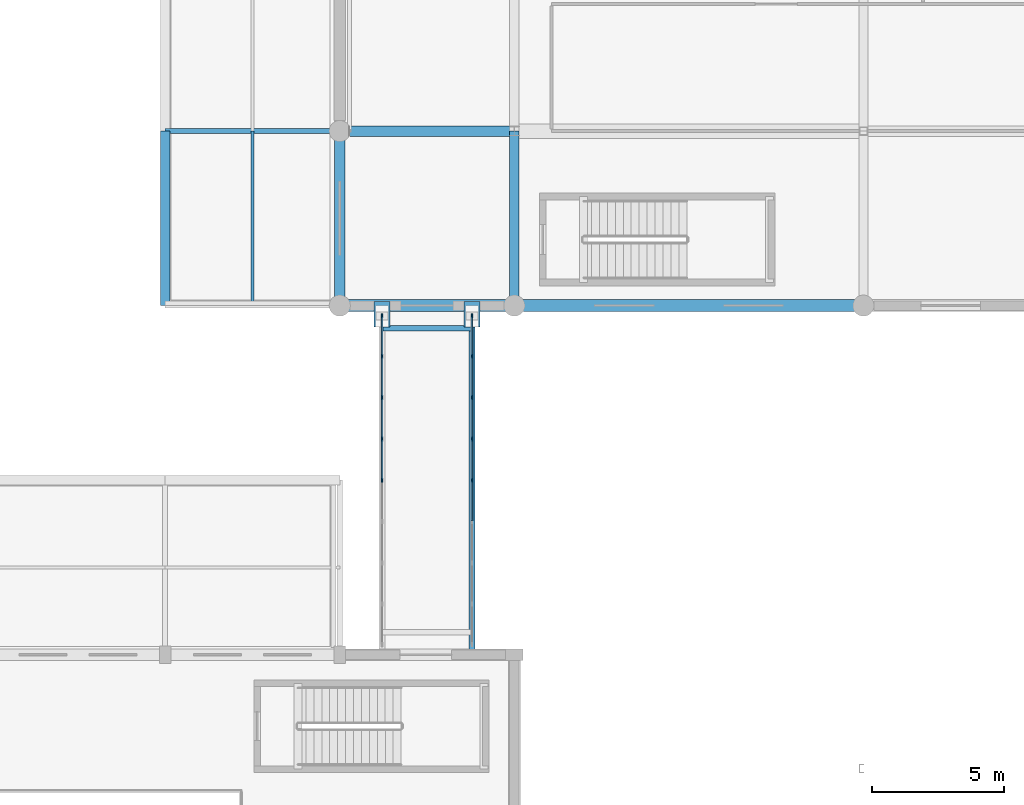
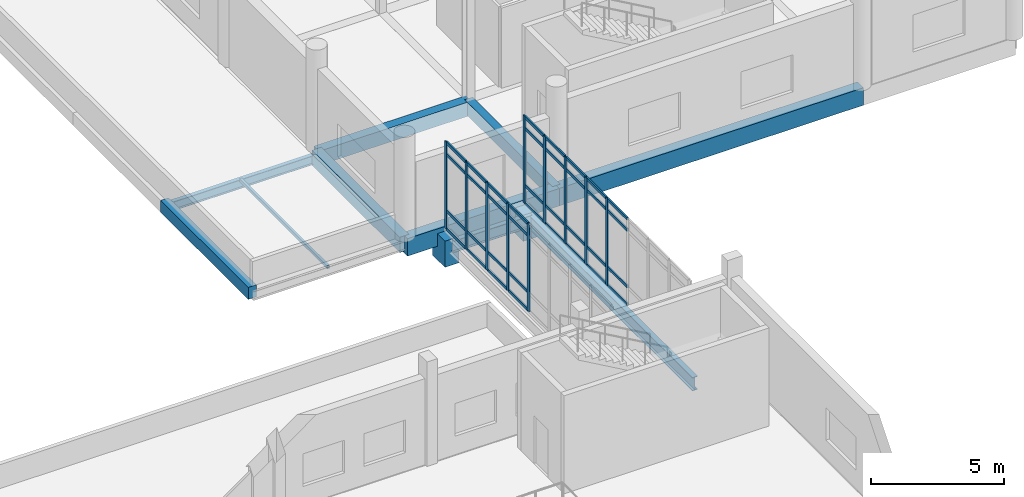
# One storey, part 18 of 125: 47 members, 11 beams, 2 elements without a shape of their own.
"""IFC4 building model written with IfcOpenShell, lengths in metres."""

from ifc_helpers import new_model, si_unit, direction, frame, origin, origin_2d, place, context, subcontext, project, spatial, rectangle, hollow_rectangle, i_section, extrude, material, material_profile, profile_set, type_object, element, aggregate, save


model = new_model("IFC4")

# Units and contexts
model_context = context("Model", 3, precision=1e-05, world=origin(), true_north=direction((0.0, 1.0)))
body_context = subcontext(model_context, "Body", "Model", "MODEL_VIEW")
ifc_project = project(units=[si_unit("LENGTHUNIT", "METRE"), si_unit("AREAUNIT", "SQUARE_METRE"), si_unit("VOLUMEUNIT", "CUBIC_METRE"), si_unit("PLANEANGLEUNIT", "RADIAN"), si_unit("MASSUNIT", "GRAM", prefix="KILO")], contexts=[model_context])

# Site, building, storey
site_placement = place(None, origin())
site = spatial("IfcSite", under=ifc_project, at=site_placement, CompositionType="ELEMENT")
building_placement = place(site_placement, origin())
building = spatial("IfcBuilding", under=site, at=building_placement, Name="Dornvale Research Institute", CompositionType="ELEMENT")
storey_placement = place(building_placement, frame((0.0, 0.0, 5.39990234375)))
storey = spatial("IfcBuildingStorey", under=building, at=storey_placement, Name="L01", CompositionType="ELEMENT", Elevation=5.39990234375)

# Beams
ifc_material_1 = material(Name="Concrete f'c 45 MPa (C35/45)", Category="concrete")
ifc_material_profile_1 = material_profile(ifc_material_1, rectangle(XDim=0.35009765625, YDim=0.60009765625, at=origin_2d()), Name="RC 350x600")
ifc_profile_set_1 = profile_set([ifc_material_profile_1], Name="Concrete f'c 45 MPa (C35/45)")
beam_type_1 = type_object("IfcBeamType", Name="Beam_RC350x600_Floor", PredefinedType="BEAM", material=ifc_profile_set_1)
beam_1_placement = place(storey_placement, frame((46.199951171875, 39.60009765625, -0.2998046875), z_axis=(0.0, 1.0, 0.0), x_axis=(-1.0, 0.0, 0.0)))
element("IfcBeam", 1, at=beam_1_placement, inside=storey, type_object=beam_type_1, Name="L01 transverse girder #531", PredefinedType="BEAM", context=body_context, shape_type="SweptSolid", body=[
    extrude(rectangle(XDim=0.35009765625, YDim=0.60009765625, at=origin_2d()), origin(), (0.0, 0.0, 1.0), 6.599853515625),
])
ifc_material_2 = material(Name="Concrete f'c 45 MPa (C35/45)", Category="concrete")
ifc_material_profile_2 = material_profile(ifc_material_2, rectangle(XDim=0.39990234375, YDim=0.64990234375, at=origin_2d()), Name="RC 400x650")
ifc_profile_set_2 = profile_set([ifc_material_profile_2], Name="Concrete f'c 45 MPa (C35/45)")
beam_type_2 = type_object("IfcBeamType", Name="Beam_RC400x650_Floor", PredefinedType="BEAM", material=ifc_profile_set_2)
beam_2_placement = place(storey_placement, frame((39.60009765625, 46.199951171875, -0.324951171875), z_axis=(1.0, 0.0, 0.0), x_axis=(0.0, 1.0, 0.0)))
element("IfcBeam", 2, at=beam_2_placement, inside=storey, type_object=beam_type_2, Name="L01 primary girder #505", PredefinedType="BEAM", context=body_context, shape_type="SweptSolid", body=[
    extrude(rectangle(XDim=0.39990234375, YDim=0.64990234375, at=origin_2d()), origin(), (0.0, 0.0, 1.0), 6.599853515625),
])
ifc_material_3 = material(Name="Steel ASTM A992 Grade 50", Category="steel")
ifc_material_profile_3 = material_profile(ifc_material_3, i_section(OverallWidth=0.178955078125, OverallDepth=0.409912109375, WebThickness=0.0087890625, FlangeThickness=0.014404296875, at=origin_2d()), Name="W16X45")
ifc_profile_set_3 = profile_set([ifc_material_profile_3], Name="Steel ASTM A992 Grade 50")
beam_type_3 = type_object("IfcBeamType", Name="Beam_Steel_W16X45_Canopy", PredefinedType="BEAM", material=ifc_profile_set_3)
beam_3_placement = place(storey_placement, frame((33.0, 46.199951171875, -0.40478515625), z_axis=(1.0, 0.0, 0.0), x_axis=(0.0, 1.0, 0.0)))
element("IfcBeam", 3, at=beam_3_placement, inside=storey, type_object=beam_type_3, Name="L01 entrance canopy rib #1883", PredefinedType="BEAM", context=body_context, shape_type="SweptSolid", body=[
    extrude(i_section(OverallWidth=0.178955078125, OverallDepth=0.409912109375, WebThickness=0.0087890625, FlangeThickness=0.014404296875, at=origin_2d()), origin(), (0.0, 0.0, 1.0), 6.60009765625),
])
ifc_material_4 = material(Name="Steel ASTM A992 Grade 50", Category="steel")
ifc_material_profile_4 = material_profile(ifc_material_4, i_section(OverallWidth=0.2099609375, OverallDepth=0.535888671875, WebThickness=0.010986328125, FlangeThickness=0.017333984375, at=origin_2d()), Name="W21X68")
ifc_profile_set_4 = profile_set([ifc_material_profile_4], Name="Steel ASTM A992 Grade 50")
beam_type_4 = type_object("IfcBeamType", Name="Beam_Steel_W21X68", PredefinedType="BEAM", material=ifc_profile_set_4)
beam_4_placement = place(storey_placement, frame((41.199951171875, 38.75, -0.48779296875), z_axis=(1.0, 0.0, 0.0), x_axis=(0.0, 1.0, 0.0)))
element("IfcBeam", 4, at=beam_4_placement, inside=storey, type_object=beam_type_4, Name="L01 BR-1 north cross beam #2010", PredefinedType="BEAM", context=body_context, shape_type="SweptSolid", body=[
    extrude(i_section(OverallWidth=0.2099609375, OverallDepth=0.535888671875, WebThickness=0.010986328125, FlangeThickness=0.017333984375, at=origin_2d()), origin(), (0.0, 0.0, 1.0), 3.400146484375),
])
ifc_material_5 = material(Name="Steel ASTM A992 Grade 50", Category="steel")
ifc_material_profile_5 = material_profile(ifc_material_5, i_section(OverallWidth=0.22900390625, OverallDepth=0.612060546875, WebThickness=0.011962890625, FlangeThickness=0.01953125, at=origin_2d()), Name="W24X84")
ifc_profile_set_5 = profile_set([ifc_material_profile_5], Name="Steel ASTM A992 Grade 50")
beam_type_5 = type_object("IfcBeamType", Name="Beam_Steel_W24X84_Bridge", PredefinedType="BEAM", material=ifc_profile_set_5)
beam_5_placement = place(storey_placement, frame((44.60009765625, 26.39990234375, -0.52587890625), z_axis=(0.0, 1.0, 0.0), x_axis=(-1.0, 0.0, 0.0)))
element("IfcBeam", 5, at=beam_5_placement, inside=storey, type_object=beam_type_5, Name="L01 BR-1 east girder #2008", PredefinedType="BEAM", context=body_context, shape_type="SweptSolid", body=[
    extrude(i_section(OverallWidth=0.22900390625, OverallDepth=0.612060546875, WebThickness=0.011962890625, FlangeThickness=0.01953125, at=origin_2d()), origin(), (0.0, 0.0, 1.0), 13.2001953125),
])
ifc_material_6 = material(Name="Concrete f'c 45 MPa (C35/45)", Category="concrete")
ifc_material_profile_6 = material_profile(ifc_material_6, rectangle(XDim=0.35009765625, YDim=0.550048828125, at=origin_2d()), Name="RC 350x550")
ifc_profile_set_6 = profile_set([ifc_material_profile_6], Name="Concrete f'c 45 MPa (C35/45)")
beam_type_6 = type_object("IfcBeamType", Name="Lintel_RC350x550_Arch", PredefinedType="LINTEL", material=ifc_profile_set_6)
beam_6_placement = place(storey_placement, frame((33.0, 39.60009765625, -0.27490234375), z_axis=(0.0, 1.0, 0.0), x_axis=(-1.0, 0.0, 0.0)))
element("IfcBeam", 6, at=beam_6_placement, inside=storey, type_object=beam_type_6, Name="L01 colonnade arch lintel #1867", PredefinedType="LINTEL", context=body_context, shape_type="SweptSolid", body=[
    extrude(rectangle(XDim=0.35009765625, YDim=0.550048828125, at=origin_2d()), origin(), (0.0, 0.0, 1.0), 6.599853515625),
])

# Curtain wall, members
ifc_material_7 = material(Name="Low-E Argon Double Insulating Glazing Unit", Category="glass")
curtain_wall_type = type_object("IfcCurtainWallType", Name="UnitisedCurtainWall_V2_12500x4000", PredefinedType="USERDEFINED", material=ifc_material_7)
curtain_wall_1_placement = place(storey_placement, origin())
curtain_wall_1 = element("IfcCurtainWall", 7, at=curtain_wall_1_placement, inside=storey, type_object=curtain_wall_type, Name="L01 V2 unitised curtain wall CW-39 #203", ObjectType="UNITISED CURTAIN WALL", PredefinedType="USERDEFINED")
ifc_material_8 = material(Name="Anodized Aluminum AA 6063-T6 Thermally Broken Frame", Category="aluminium")
ifc_material_profile_7 = material_profile(ifc_material_8, rectangle(XDim=0.06494140625, YDim=0.1650390625, at=origin_2d()), Name="ALU MULLION 65x165")
ifc_profile_set_7 = profile_set([ifc_material_profile_7], Name="Anodized Aluminum AA 6063-T6 Thermally Broken Frame")
member_type_1 = type_object("IfcMemberType", Name="Mullion_Atrium_65x165", PredefinedType="MULLION", material=ifc_profile_set_7)
member_1_placement = place(storey_placement, frame((41.199951171875, 33.0, 0.0), z_axis=(0.0, 0.0, 1.0), x_axis=(-1.0, 0.0, 0.0)))
member_1 = element("IfcMember", 8, at=member_1_placement, type_object=member_type_1, Name="CW-39 mullion 5", PredefinedType="MULLION", context=body_context, shape_type="SweptSolid", body=[
    extrude(rectangle(XDim=0.06494140625, YDim=0.1650390625, at=origin_2d()), origin(), (0.0, 0.0, 1.0), 4.0),
])
member_2_placement = place(storey_placement, frame((41.199951171875, 34.5625, 0.0), z_axis=(0.0, 0.0, 1.0), x_axis=(-1.0, 0.0, 0.0)))
member_2 = element("IfcMember", 9, at=member_2_placement, type_object=member_type_1, Name="CW-39 mullion 6", PredefinedType="MULLION", context=body_context, shape_type="SweptSolid", body=[
    extrude(rectangle(XDim=0.06494140625, YDim=0.1650390625, at=origin_2d()), origin(), (0.0, 0.0, 1.0), 4.0),
])
member_3_placement = place(storey_placement, frame((41.199951171875, 36.125, 0.0), z_axis=(0.0, 0.0, 1.0), x_axis=(-1.0, 0.0, 0.0)))
member_3 = element("IfcMember", 10, at=member_3_placement, type_object=member_type_1, Name="CW-39 mullion 7", PredefinedType="MULLION", context=body_context, shape_type="SweptSolid", body=[
    extrude(rectangle(XDim=0.06494140625, YDim=0.1650390625, at=origin_2d()), origin(), (0.0, 0.0, 1.0), 4.0),
])
member_4_placement = place(storey_placement, frame((41.199951171875, 37.6875, 0.0), z_axis=(0.0, 0.0, 1.0), x_axis=(-1.0, 0.0, 0.0)))
member_4 = element("IfcMember", 11, at=member_4_placement, type_object=member_type_1, Name="CW-39 mullion 8", PredefinedType="MULLION", context=body_context, shape_type="SweptSolid", body=[
    extrude(rectangle(XDim=0.06494140625, YDim=0.1650390625, at=origin_2d()), origin(), (0.0, 0.0, 1.0), 4.0),
])
member_5_placement = place(storey_placement, frame((41.199951171875, 39.217529296875, 0.0), z_axis=(0.0, 0.0, 1.0), x_axis=(-1.0, 0.0, 0.0)))
member_5 = element("IfcMember", 12, at=member_5_placement, type_object=member_type_1, Name="CW-39 mullion 9", PredefinedType="MULLION", context=body_context, shape_type="SweptSolid", body=[
    extrude(rectangle(XDim=0.06494140625, YDim=0.1650390625, at=origin_2d()), origin(), (0.0, 0.0, 1.0), 4.0),
])

curtain_wall_2_placement = place(storey_placement, origin())
curtain_wall_2 = element("IfcCurtainWall", 13, at=curtain_wall_2_placement, inside=storey, type_object=curtain_wall_type, Name="L01 V2 unitised curtain wall CW-39 #204", ObjectType="UNITISED CURTAIN WALL", PredefinedType="USERDEFINED")
member_6_placement = place(storey_placement, frame((44.60009765625, 39.217529296875, 0.0), z_axis=(0.0, 0.0, 1.0), x_axis=(1.0, 0.0, 0.0)))
member_6 = element("IfcMember", 14, at=member_6_placement, type_object=member_type_1, Name="CW-39 mullion 1", PredefinedType="MULLION", context=body_context, shape_type="SweptSolid", body=[
    extrude(rectangle(XDim=0.06494140625, YDim=0.1650390625, at=origin_2d()), origin(), (0.0, 0.0, 1.0), 4.0),
])
member_7_placement = place(storey_placement, frame((44.60009765625, 37.6875, 0.0), z_axis=(0.0, 0.0, 1.0), x_axis=(1.0, 0.0, 0.0)))
member_7 = element("IfcMember", 15, at=member_7_placement, type_object=member_type_1, Name="CW-39 mullion 2", PredefinedType="MULLION", context=body_context, shape_type="SweptSolid", body=[
    extrude(rectangle(XDim=0.06494140625, YDim=0.1650390625, at=origin_2d()), origin(), (0.0, 0.0, 1.0), 4.0),
])
member_8_placement = place(storey_placement, frame((44.60009765625, 36.125, 0.0), z_axis=(0.0, 0.0, 1.0), x_axis=(1.0, 0.0, 0.0)))
member_8 = element("IfcMember", 16, at=member_8_placement, type_object=member_type_1, Name="CW-39 mullion 3", PredefinedType="MULLION", context=body_context, shape_type="SweptSolid", body=[
    extrude(rectangle(XDim=0.06494140625, YDim=0.1650390625, at=origin_2d()), origin(), (0.0, 0.0, 1.0), 4.0),
])
member_9_placement = place(storey_placement, frame((44.60009765625, 34.5625, 0.0), z_axis=(0.0, 0.0, 1.0), x_axis=(1.0, 0.0, 0.0)))
member_9 = element("IfcMember", 17, at=member_9_placement, type_object=member_type_1, Name="CW-39 mullion 4", PredefinedType="MULLION", context=body_context, shape_type="SweptSolid", body=[
    extrude(rectangle(XDim=0.06494140625, YDim=0.1650390625, at=origin_2d()), origin(), (0.0, 0.0, 1.0), 4.0),
])
member_10_placement = place(storey_placement, frame((44.60009765625, 33.0, 0.0), z_axis=(0.0, 0.0, 1.0), x_axis=(1.0, 0.0, 0.0)))
member_10 = element("IfcMember", 18, at=member_10_placement, type_object=member_type_1, Name="CW-39 mullion 5", PredefinedType="MULLION", context=body_context, shape_type="SweptSolid", body=[
    extrude(rectangle(XDim=0.06494140625, YDim=0.1650390625, at=origin_2d()), origin(), (0.0, 0.0, 1.0), 4.0),
])

# Member
ifc_material_9 = material(Name="Steel ASTM A500 Grade C", Category="steel")
ifc_material_profile_8 = material_profile(ifc_material_9, hollow_rectangle(XDim=0.10205078125, YDim=0.152099609375, WallThickness=0.005859375, at=origin_2d()), Name="HSS152X102X6.4")
ifc_profile_set_8 = profile_set([ifc_material_profile_8], Name="Steel ASTM A500 Grade C")
member_type_2 = type_object("IfcMemberType", Name="Purlin_HSS152X102_Canopy", PredefinedType="PURLIN", material=ifc_profile_set_8)
member_11_placement = place(storey_placement, frame((36.300048828125, 39.60009765625, -0.27587890625), z_axis=(0.0, 1.0, 0.0), x_axis=(-1.0, 0.0, 0.0)))
element("IfcMember", 19, at=member_11_placement, inside=storey, type_object=member_type_2, Name="Entrance canopy purlin #13", PredefinedType="PURLIN", context=body_context, shape_type="SweptSolid", body=[
    extrude(hollow_rectangle(XDim=0.10205078125, YDim=0.152099609375, WallThickness=0.005859375, at=origin_2d()), origin(), (0.0, 0.0, 1.0), 6.599853515625),
])

# Beams
ifc_material_10 = material(Name="Concrete f'c 45 MPa (C35/45)", Category="concrete")
ifc_material_profile_9 = material_profile(ifc_material_10, rectangle(XDim=0.39990234375, YDim=0.699951171875, at=origin_2d()), Name="RC 400x700")
ifc_profile_set_9 = profile_set([ifc_material_profile_9], Name="Concrete f'c 45 MPa (C35/45)")
beam_type_7 = type_object("IfcBeamType", Name="Spandrel_RC400x700_Ext", PredefinedType="SPANDREL", material=ifc_profile_set_9)
beam_7_placement = place(storey_placement, frame((39.60009765625, 39.60009765625, -0.349853515625), z_axis=(0.0, 1.0, 0.0), x_axis=(-1.0, 0.0, 0.0)))
element("IfcBeam", 20, at=beam_7_placement, inside=storey, type_object=beam_type_7, Name="L01 perimeter spandrel #524", PredefinedType="SPANDREL", context=body_context, shape_type="SweptSolid", body=[
    extrude(rectangle(XDim=0.39990234375, YDim=0.699951171875, at=origin_2d()), origin(), (0.0, 0.0, 1.0), 6.599853515625),
])
ifc_material_11 = material(Name="Concrete f'c 45 MPa (C35/45)", Category="concrete")
ifc_material_profile_10 = material_profile(ifc_material_11, rectangle(XDim=0.449951171875, YDim=0.800048828125, at=origin_2d()), Name="RC 450x800")
ifc_profile_set_10 = profile_set([ifc_material_profile_10], Name="Concrete f'c 45 MPa (C35/45)")
beam_type_8 = type_object("IfcBeamType", Name="Spandrel_RC450x800_Ext", PredefinedType="SPANDREL", material=ifc_profile_set_10)
beam_8_placement = place(storey_placement, frame((39.60009765625, 39.60009765625, -0.39990234375), z_axis=(1.0, 0.0, 0.0), x_axis=(0.0, 1.0, 0.0)))
element("IfcBeam", 21, at=beam_8_placement, inside=storey, type_object=beam_type_8, Name="L01 perimeter spandrel #502", PredefinedType="SPANDREL", context=body_context, shape_type="SweptSolid", body=[
    extrude(rectangle(XDim=0.449951171875, YDim=0.800048828125, at=origin_2d()), origin(), (0.0, 0.0, 1.0), 6.599853515625),
])
beam_9_placement = place(storey_placement, frame((46.199951171875, 39.60009765625, -0.39990234375), z_axis=(1.0, 0.0, 0.0), x_axis=(0.0, 1.0, 0.0)))
element("IfcBeam", 22, at=beam_9_placement, inside=storey, type_object=beam_type_8, Name="L01 perimeter spandrel #503", PredefinedType="SPANDREL", context=body_context, shape_type="SweptSolid", body=[
    extrude(rectangle(XDim=0.449951171875, YDim=0.800048828125, at=origin_2d()), origin(), (0.0, 0.0, 1.0), 13.199951171875),
])
ifc_material_12 = material(Name="Concrete f'c 50 MPa (C40/50)", Category="concrete")
ifc_material_profile_11 = material_profile(ifc_material_12, rectangle(XDim=0.60009765625, YDim=1.199951171875, at=origin_2d()), Name="RC 600x1200")
ifc_profile_set_11 = profile_set([ifc_material_profile_11], Name="Concrete f'c 50 MPa (C40/50)")
beam_type_9 = type_object("IfcBeamType", Name="TBeam_RC600x1200_Tie", PredefinedType="T_BEAM", material=ifc_profile_set_11)
for number, where, z_axis, x_axis, name in (
    (23, (41.199951171875, 38.800048828125, -0.81982421875), (0.0, 1.0, 0.0), (-1.0, 0.0, 0.0), "L01 BR-1 800mm sliding corbel seat #2010"),
    (24, (44.60009765625, 38.800048828125, -0.81982421875), (0.0, 1.0, 0.0), (-1.0, 0.0, 0.0), "L01 BR-1 800mm sliding corbel seat #2010"),
):
    element("IfcBeam", number, at=place(storey_placement, frame(where, z_axis=z_axis, x_axis=x_axis)), inside=storey, type_object=beam_type_9, Name=name, PredefinedType="T_BEAM", context=body_context, shape_type="SweptSolid", body=[
        extrude(rectangle(XDim=0.60009765625, YDim=1.199951171875, at=origin_2d()), origin(), (0.0, 0.0, 1.0), 0.949951171875),
    ])

# Member
ifc_material_13 = material(Name="Anodized Aluminum AA 6063-T6 Thermally Broken Frame", Category="aluminium")
ifc_material_profile_12 = material_profile(ifc_material_13, rectangle(XDim=0.06494140625, YDim=0.135009765625, at=origin_2d()), Name="ALU TRANSOM 65x135")
ifc_profile_set_12 = profile_set([ifc_material_profile_12], Name="Anodized Aluminum AA 6063-T6 Thermally Broken Frame")
member_type_3 = type_object("IfcMemberType", Name="Transom_CW_65x135", PredefinedType="USERDEFINED", material=ifc_profile_set_12)
member_12_placement = place(storey_placement, frame((41.199951171875, 33.032470703125, 0.03271484375), z_axis=(0.0, 1.0, 0.0), x_axis=(-1.0, 0.0, 0.0)))
member_12 = element("IfcMember", 25, at=member_12_placement, type_object=member_type_3, Name="CW-39 transom 5.1", ObjectType="TRANSOM", PredefinedType="USERDEFINED", context=body_context, shape_type="SweptSolid", body=[
    extrude(rectangle(XDim=0.06494140625, YDim=0.135009765625, at=origin_2d()), origin(), (0.0, 0.0, 1.0), 1.49755859375),
])

member_13_placement = place(storey_placement, frame((41.199951171875, 33.032470703125, 0.85009765625), z_axis=(0.0, 1.0, 0.0), x_axis=(-1.0, 0.0, 0.0)))
member_13 = element("IfcMember", 26, at=member_13_placement, type_object=member_type_3, Name="CW-39 transom 5.2", ObjectType="TRANSOM", PredefinedType="USERDEFINED", context=body_context, shape_type="SweptSolid", body=[
    extrude(rectangle(XDim=0.06494140625, YDim=0.135009765625, at=origin_2d()), origin(), (0.0, 0.0, 1.0), 1.49755859375),
])

member_14_placement = place(storey_placement, frame((41.199951171875, 33.032470703125, 3.4501953125), z_axis=(0.0, 1.0, 0.0), x_axis=(-1.0, 0.0, 0.0)))
member_14 = element("IfcMember", 27, at=member_14_placement, type_object=member_type_3, Name="CW-39 transom 5.3", ObjectType="TRANSOM", PredefinedType="USERDEFINED", context=body_context, shape_type="SweptSolid", body=[
    extrude(rectangle(XDim=0.06494140625, YDim=0.135009765625, at=origin_2d()), origin(), (0.0, 0.0, 1.0), 1.49755859375),
])

member_15_placement = place(storey_placement, frame((41.199951171875, 33.032470703125, 3.967529296875), z_axis=(0.0, 1.0, 0.0), x_axis=(-1.0, 0.0, 0.0)))
member_15 = element("IfcMember", 28, at=member_15_placement, type_object=member_type_3, Name="CW-39 transom 5.4", ObjectType="TRANSOM", PredefinedType="USERDEFINED", context=body_context, shape_type="SweptSolid", body=[
    extrude(rectangle(XDim=0.06494140625, YDim=0.135009765625, at=origin_2d()), origin(), (0.0, 0.0, 1.0), 1.49755859375),
])

member_16_placement = place(storey_placement, frame((41.199951171875, 34.594970703125, 0.03271484375), z_axis=(0.0, 1.0, 0.0), x_axis=(-1.0, 0.0, 0.0)))
member_16 = element("IfcMember", 29, at=member_16_placement, type_object=member_type_3, Name="CW-39 transom 6.1", ObjectType="TRANSOM", PredefinedType="USERDEFINED", context=body_context, shape_type="SweptSolid", body=[
    extrude(rectangle(XDim=0.06494140625, YDim=0.135009765625, at=origin_2d()), origin(), (0.0, 0.0, 1.0), 1.49755859375),
])

member_17_placement = place(storey_placement, frame((41.199951171875, 34.594970703125, 0.85009765625), z_axis=(0.0, 1.0, 0.0), x_axis=(-1.0, 0.0, 0.0)))
member_17 = element("IfcMember", 30, at=member_17_placement, type_object=member_type_3, Name="CW-39 transom 6.2", ObjectType="TRANSOM", PredefinedType="USERDEFINED", context=body_context, shape_type="SweptSolid", body=[
    extrude(rectangle(XDim=0.06494140625, YDim=0.135009765625, at=origin_2d()), origin(), (0.0, 0.0, 1.0), 1.49755859375),
])

member_18_placement = place(storey_placement, frame((41.199951171875, 34.594970703125, 3.4501953125), z_axis=(0.0, 1.0, 0.0), x_axis=(-1.0, 0.0, 0.0)))
member_18 = element("IfcMember", 31, at=member_18_placement, type_object=member_type_3, Name="CW-39 transom 6.3", ObjectType="TRANSOM", PredefinedType="USERDEFINED", context=body_context, shape_type="SweptSolid", body=[
    extrude(rectangle(XDim=0.06494140625, YDim=0.135009765625, at=origin_2d()), origin(), (0.0, 0.0, 1.0), 1.49755859375),
])

member_19_placement = place(storey_placement, frame((41.199951171875, 34.594970703125, 3.967529296875), z_axis=(0.0, 1.0, 0.0), x_axis=(-1.0, 0.0, 0.0)))
member_19 = element("IfcMember", 32, at=member_19_placement, type_object=member_type_3, Name="CW-39 transom 6.4", ObjectType="TRANSOM", PredefinedType="USERDEFINED", context=body_context, shape_type="SweptSolid", body=[
    extrude(rectangle(XDim=0.06494140625, YDim=0.135009765625, at=origin_2d()), origin(), (0.0, 0.0, 1.0), 1.49755859375),
])

member_20_placement = place(storey_placement, frame((41.199951171875, 36.157470703125, 0.03271484375), z_axis=(0.0, 1.0, 0.0), x_axis=(-1.0, 0.0, 0.0)))
member_20 = element("IfcMember", 33, at=member_20_placement, type_object=member_type_3, Name="CW-39 transom 7.1", ObjectType="TRANSOM", PredefinedType="USERDEFINED", context=body_context, shape_type="SweptSolid", body=[
    extrude(rectangle(XDim=0.06494140625, YDim=0.135009765625, at=origin_2d()), origin(), (0.0, 0.0, 1.0), 1.49755859375),
])

member_21_placement = place(storey_placement, frame((41.199951171875, 36.157470703125, 0.85009765625), z_axis=(0.0, 1.0, 0.0), x_axis=(-1.0, 0.0, 0.0)))
member_21 = element("IfcMember", 34, at=member_21_placement, type_object=member_type_3, Name="CW-39 transom 7.2", ObjectType="TRANSOM", PredefinedType="USERDEFINED", context=body_context, shape_type="SweptSolid", body=[
    extrude(rectangle(XDim=0.06494140625, YDim=0.135009765625, at=origin_2d()), origin(), (0.0, 0.0, 1.0), 1.49755859375),
])

member_22_placement = place(storey_placement, frame((41.199951171875, 36.157470703125, 3.4501953125), z_axis=(0.0, 1.0, 0.0), x_axis=(-1.0, 0.0, 0.0)))
member_22 = element("IfcMember", 35, at=member_22_placement, type_object=member_type_3, Name="CW-39 transom 7.3", ObjectType="TRANSOM", PredefinedType="USERDEFINED", context=body_context, shape_type="SweptSolid", body=[
    extrude(rectangle(XDim=0.06494140625, YDim=0.135009765625, at=origin_2d()), origin(), (0.0, 0.0, 1.0), 1.49755859375),
])

member_23_placement = place(storey_placement, frame((41.199951171875, 36.157470703125, 3.967529296875), z_axis=(0.0, 1.0, 0.0), x_axis=(-1.0, 0.0, 0.0)))
member_23 = element("IfcMember", 36, at=member_23_placement, type_object=member_type_3, Name="CW-39 transom 7.4", ObjectType="TRANSOM", PredefinedType="USERDEFINED", context=body_context, shape_type="SweptSolid", body=[
    extrude(rectangle(XDim=0.06494140625, YDim=0.135009765625, at=origin_2d()), origin(), (0.0, 0.0, 1.0), 1.49755859375),
])

member_24_placement = place(storey_placement, frame((41.199951171875, 37.719970703125, 0.03271484375), z_axis=(0.0, 1.0, 0.0), x_axis=(-1.0, 0.0, 0.0)))
member_24 = element("IfcMember", 37, at=member_24_placement, type_object=member_type_3, Name="CW-39 transom 8.1", ObjectType="TRANSOM", PredefinedType="USERDEFINED", context=body_context, shape_type="SweptSolid", body=[
    extrude(rectangle(XDim=0.06494140625, YDim=0.135009765625, at=origin_2d()), origin(), (0.0, 0.0, 1.0), 1.465087890625),
])

member_25_placement = place(storey_placement, frame((41.199951171875, 37.719970703125, 0.85009765625), z_axis=(0.0, 1.0, 0.0), x_axis=(-1.0, 0.0, 0.0)))
member_25 = element("IfcMember", 38, at=member_25_placement, type_object=member_type_3, Name="CW-39 transom 8.2", ObjectType="TRANSOM", PredefinedType="USERDEFINED", context=body_context, shape_type="SweptSolid", body=[
    extrude(rectangle(XDim=0.06494140625, YDim=0.135009765625, at=origin_2d()), origin(), (0.0, 0.0, 1.0), 1.465087890625),
])

member_26_placement = place(storey_placement, frame((41.199951171875, 37.719970703125, 3.4501953125), z_axis=(0.0, 1.0, 0.0), x_axis=(-1.0, 0.0, 0.0)))
member_26 = element("IfcMember", 39, at=member_26_placement, type_object=member_type_3, Name="CW-39 transom 8.3", ObjectType="TRANSOM", PredefinedType="USERDEFINED", context=body_context, shape_type="SweptSolid", body=[
    extrude(rectangle(XDim=0.06494140625, YDim=0.135009765625, at=origin_2d()), origin(), (0.0, 0.0, 1.0), 1.465087890625),
])

member_27_placement = place(storey_placement, frame((41.199951171875, 37.719970703125, 3.967529296875), z_axis=(0.0, 1.0, 0.0), x_axis=(-1.0, 0.0, 0.0)))
member_27 = element("IfcMember", 40, at=member_27_placement, type_object=member_type_3, Name="CW-39 transom 8.4", ObjectType="TRANSOM", PredefinedType="USERDEFINED", context=body_context, shape_type="SweptSolid", body=[
    extrude(rectangle(XDim=0.06494140625, YDim=0.135009765625, at=origin_2d()), origin(), (0.0, 0.0, 1.0), 1.465087890625),
])

aggregate(curtain_wall_1, [member_1, member_2, member_3, member_4, member_5, member_12, member_13, member_14, member_15, member_16, member_17, member_18, member_19, member_20, member_21, member_22, member_23, member_24, member_25, member_26, member_27])

member_28_placement = place(storey_placement, frame((44.60009765625, 39.18505859375, 0.03271484375), z_axis=(0.0, -1.0, 0.0), x_axis=(1.0, 0.0, 0.0)))
member_28 = element("IfcMember", 41, at=member_28_placement, type_object=member_type_3, Name="CW-39 transom 1.1", ObjectType="TRANSOM", PredefinedType="USERDEFINED", context=body_context, shape_type="SweptSolid", body=[
    extrude(rectangle(XDim=0.06494140625, YDim=0.135009765625, at=origin_2d()), origin(), (0.0, 0.0, 1.0), 1.465087890625),
])

member_29_placement = place(storey_placement, frame((44.60009765625, 39.18505859375, 0.85009765625), z_axis=(0.0, -1.0, 0.0), x_axis=(1.0, 0.0, 0.0)))
member_29 = element("IfcMember", 42, at=member_29_placement, type_object=member_type_3, Name="CW-39 transom 1.2", ObjectType="TRANSOM", PredefinedType="USERDEFINED", context=body_context, shape_type="SweptSolid", body=[
    extrude(rectangle(XDim=0.06494140625, YDim=0.135009765625, at=origin_2d()), origin(), (0.0, 0.0, 1.0), 1.465087890625),
])

member_30_placement = place(storey_placement, frame((44.60009765625, 39.18505859375, 3.4501953125), z_axis=(0.0, -1.0, 0.0), x_axis=(1.0, 0.0, 0.0)))
member_30 = element("IfcMember", 43, at=member_30_placement, type_object=member_type_3, Name="CW-39 transom 1.3", ObjectType="TRANSOM", PredefinedType="USERDEFINED", context=body_context, shape_type="SweptSolid", body=[
    extrude(rectangle(XDim=0.06494140625, YDim=0.135009765625, at=origin_2d()), origin(), (0.0, 0.0, 1.0), 1.465087890625),
])

member_31_placement = place(storey_placement, frame((44.60009765625, 39.18505859375, 3.967529296875), z_axis=(0.0, -1.0, 0.0), x_axis=(1.0, 0.0, 0.0)))
member_31 = element("IfcMember", 44, at=member_31_placement, type_object=member_type_3, Name="CW-39 transom 1.4", ObjectType="TRANSOM", PredefinedType="USERDEFINED", context=body_context, shape_type="SweptSolid", body=[
    extrude(rectangle(XDim=0.06494140625, YDim=0.135009765625, at=origin_2d()), origin(), (0.0, 0.0, 1.0), 1.465087890625),
])

member_32_placement = place(storey_placement, frame((44.60009765625, 37.655029296875, 0.03271484375), z_axis=(0.0, -1.0, 0.0), x_axis=(1.0, 0.0, 0.0)))
member_32 = element("IfcMember", 45, at=member_32_placement, type_object=member_type_3, Name="CW-39 transom 2.1", ObjectType="TRANSOM", PredefinedType="USERDEFINED", context=body_context, shape_type="SweptSolid", body=[
    extrude(rectangle(XDim=0.06494140625, YDim=0.135009765625, at=origin_2d()), origin(), (0.0, 0.0, 1.0), 1.49755859375),
])

member_33_placement = place(storey_placement, frame((44.60009765625, 37.655029296875, 0.85009765625), z_axis=(0.0, -1.0, 0.0), x_axis=(1.0, 0.0, 0.0)))
member_33 = element("IfcMember", 46, at=member_33_placement, type_object=member_type_3, Name="CW-39 transom 2.2", ObjectType="TRANSOM", PredefinedType="USERDEFINED", context=body_context, shape_type="SweptSolid", body=[
    extrude(rectangle(XDim=0.06494140625, YDim=0.135009765625, at=origin_2d()), origin(), (0.0, 0.0, 1.0), 1.49755859375),
])

member_34_placement = place(storey_placement, frame((44.60009765625, 37.655029296875, 3.4501953125), z_axis=(0.0, -1.0, 0.0), x_axis=(1.0, 0.0, 0.0)))
member_34 = element("IfcMember", 47, at=member_34_placement, type_object=member_type_3, Name="CW-39 transom 2.3", ObjectType="TRANSOM", PredefinedType="USERDEFINED", context=body_context, shape_type="SweptSolid", body=[
    extrude(rectangle(XDim=0.06494140625, YDim=0.135009765625, at=origin_2d()), origin(), (0.0, 0.0, 1.0), 1.49755859375),
])

member_35_placement = place(storey_placement, frame((44.60009765625, 37.655029296875, 3.967529296875), z_axis=(0.0, -1.0, 0.0), x_axis=(1.0, 0.0, 0.0)))
member_35 = element("IfcMember", 48, at=member_35_placement, type_object=member_type_3, Name="CW-39 transom 2.4", ObjectType="TRANSOM", PredefinedType="USERDEFINED", context=body_context, shape_type="SweptSolid", body=[
    extrude(rectangle(XDim=0.06494140625, YDim=0.135009765625, at=origin_2d()), origin(), (0.0, 0.0, 1.0), 1.49755859375),
])

member_36_placement = place(storey_placement, frame((44.60009765625, 36.092529296875, 0.03271484375), z_axis=(0.0, -1.0, 0.0), x_axis=(1.0, 0.0, 0.0)))
member_36 = element("IfcMember", 49, at=member_36_placement, type_object=member_type_3, Name="CW-39 transom 3.1", ObjectType="TRANSOM", PredefinedType="USERDEFINED", context=body_context, shape_type="SweptSolid", body=[
    extrude(rectangle(XDim=0.06494140625, YDim=0.135009765625, at=origin_2d()), origin(), (0.0, 0.0, 1.0), 1.49755859375),
])

member_37_placement = place(storey_placement, frame((44.60009765625, 36.092529296875, 0.85009765625), z_axis=(0.0, -1.0, 0.0), x_axis=(1.0, 0.0, 0.0)))
member_37 = element("IfcMember", 50, at=member_37_placement, type_object=member_type_3, Name="CW-39 transom 3.2", ObjectType="TRANSOM", PredefinedType="USERDEFINED", context=body_context, shape_type="SweptSolid", body=[
    extrude(rectangle(XDim=0.06494140625, YDim=0.135009765625, at=origin_2d()), origin(), (0.0, 0.0, 1.0), 1.49755859375),
])

member_38_placement = place(storey_placement, frame((44.60009765625, 36.092529296875, 3.4501953125), z_axis=(0.0, -1.0, 0.0), x_axis=(1.0, 0.0, 0.0)))
member_38 = element("IfcMember", 51, at=member_38_placement, type_object=member_type_3, Name="CW-39 transom 3.3", ObjectType="TRANSOM", PredefinedType="USERDEFINED", context=body_context, shape_type="SweptSolid", body=[
    extrude(rectangle(XDim=0.06494140625, YDim=0.135009765625, at=origin_2d()), origin(), (0.0, 0.0, 1.0), 1.49755859375),
])

member_39_placement = place(storey_placement, frame((44.60009765625, 36.092529296875, 3.967529296875), z_axis=(0.0, -1.0, 0.0), x_axis=(1.0, 0.0, 0.0)))
member_39 = element("IfcMember", 52, at=member_39_placement, type_object=member_type_3, Name="CW-39 transom 3.4", ObjectType="TRANSOM", PredefinedType="USERDEFINED", context=body_context, shape_type="SweptSolid", body=[
    extrude(rectangle(XDim=0.06494140625, YDim=0.135009765625, at=origin_2d()), origin(), (0.0, 0.0, 1.0), 1.49755859375),
])

member_40_placement = place(storey_placement, frame((44.60009765625, 34.530029296875, 0.03271484375), z_axis=(0.0, -1.0, 0.0), x_axis=(1.0, 0.0, 0.0)))
member_40 = element("IfcMember", 53, at=member_40_placement, type_object=member_type_3, Name="CW-39 transom 4.1", ObjectType="TRANSOM", PredefinedType="USERDEFINED", context=body_context, shape_type="SweptSolid", body=[
    extrude(rectangle(XDim=0.06494140625, YDim=0.135009765625, at=origin_2d()), origin(), (0.0, 0.0, 1.0), 1.49755859375),
])

member_41_placement = place(storey_placement, frame((44.60009765625, 34.530029296875, 0.85009765625), z_axis=(0.0, -1.0, 0.0), x_axis=(1.0, 0.0, 0.0)))
member_41 = element("IfcMember", 54, at=member_41_placement, type_object=member_type_3, Name="CW-39 transom 4.2", ObjectType="TRANSOM", PredefinedType="USERDEFINED", context=body_context, shape_type="SweptSolid", body=[
    extrude(rectangle(XDim=0.06494140625, YDim=0.135009765625, at=origin_2d()), origin(), (0.0, 0.0, 1.0), 1.49755859375),
])

member_42_placement = place(storey_placement, frame((44.60009765625, 34.530029296875, 3.4501953125), z_axis=(0.0, -1.0, 0.0), x_axis=(1.0, 0.0, 0.0)))
member_42 = element("IfcMember", 55, at=member_42_placement, type_object=member_type_3, Name="CW-39 transom 4.3", ObjectType="TRANSOM", PredefinedType="USERDEFINED", context=body_context, shape_type="SweptSolid", body=[
    extrude(rectangle(XDim=0.06494140625, YDim=0.135009765625, at=origin_2d()), origin(), (0.0, 0.0, 1.0), 1.49755859375),
])

member_43_placement = place(storey_placement, frame((44.60009765625, 34.530029296875, 3.967529296875), z_axis=(0.0, -1.0, 0.0), x_axis=(1.0, 0.0, 0.0)))
member_43 = element("IfcMember", 56, at=member_43_placement, type_object=member_type_3, Name="CW-39 transom 4.4", ObjectType="TRANSOM", PredefinedType="USERDEFINED", context=body_context, shape_type="SweptSolid", body=[
    extrude(rectangle(XDim=0.06494140625, YDim=0.135009765625, at=origin_2d()), origin(), (0.0, 0.0, 1.0), 1.49755859375),
])

member_44_placement = place(storey_placement, frame((44.60009765625, 32.967529296875, 0.03271484375), z_axis=(0.0, -1.0, 0.0), x_axis=(1.0, 0.0, 0.0)))
member_44 = element("IfcMember", 57, at=member_44_placement, type_object=member_type_3, Name="CW-39 transom 5.1", ObjectType="TRANSOM", PredefinedType="USERDEFINED", context=body_context, shape_type="SweptSolid", body=[
    extrude(rectangle(XDim=0.06494140625, YDim=0.135009765625, at=origin_2d()), origin(), (0.0, 0.0, 1.0), 1.49755859375),
])

member_45_placement = place(storey_placement, frame((44.60009765625, 32.967529296875, 0.85009765625), z_axis=(0.0, -1.0, 0.0), x_axis=(1.0, 0.0, 0.0)))
member_45 = element("IfcMember", 58, at=member_45_placement, type_object=member_type_3, Name="CW-39 transom 5.2", ObjectType="TRANSOM", PredefinedType="USERDEFINED", context=body_context, shape_type="SweptSolid", body=[
    extrude(rectangle(XDim=0.06494140625, YDim=0.135009765625, at=origin_2d()), origin(), (0.0, 0.0, 1.0), 1.49755859375),
])

member_46_placement = place(storey_placement, frame((44.60009765625, 32.967529296875, 3.4501953125), z_axis=(0.0, -1.0, 0.0), x_axis=(1.0, 0.0, 0.0)))
member_46 = element("IfcMember", 59, at=member_46_placement, type_object=member_type_3, Name="CW-39 transom 5.3", ObjectType="TRANSOM", PredefinedType="USERDEFINED", context=body_context, shape_type="SweptSolid", body=[
    extrude(rectangle(XDim=0.06494140625, YDim=0.135009765625, at=origin_2d()), origin(), (0.0, 0.0, 1.0), 1.49755859375),
])

member_47_placement = place(storey_placement, frame((44.60009765625, 32.967529296875, 3.967529296875), z_axis=(0.0, -1.0, 0.0), x_axis=(1.0, 0.0, 0.0)))
member_47 = element("IfcMember", 60, at=member_47_placement, type_object=member_type_3, Name="CW-39 transom 5.4", ObjectType="TRANSOM", PredefinedType="USERDEFINED", context=body_context, shape_type="SweptSolid", body=[
    extrude(rectangle(XDim=0.06494140625, YDim=0.135009765625, at=origin_2d()), origin(), (0.0, 0.0, 1.0), 1.49755859375),
])

aggregate(curtain_wall_2, [member_6, member_7, member_8, member_9, member_10, member_28, member_29, member_30, member_31, member_32, member_33, member_34, member_35, member_36, member_37, member_38, member_39, member_40, member_41, member_42, member_43, member_44, member_45, member_46, member_47])

save(model, "model.ifc")
